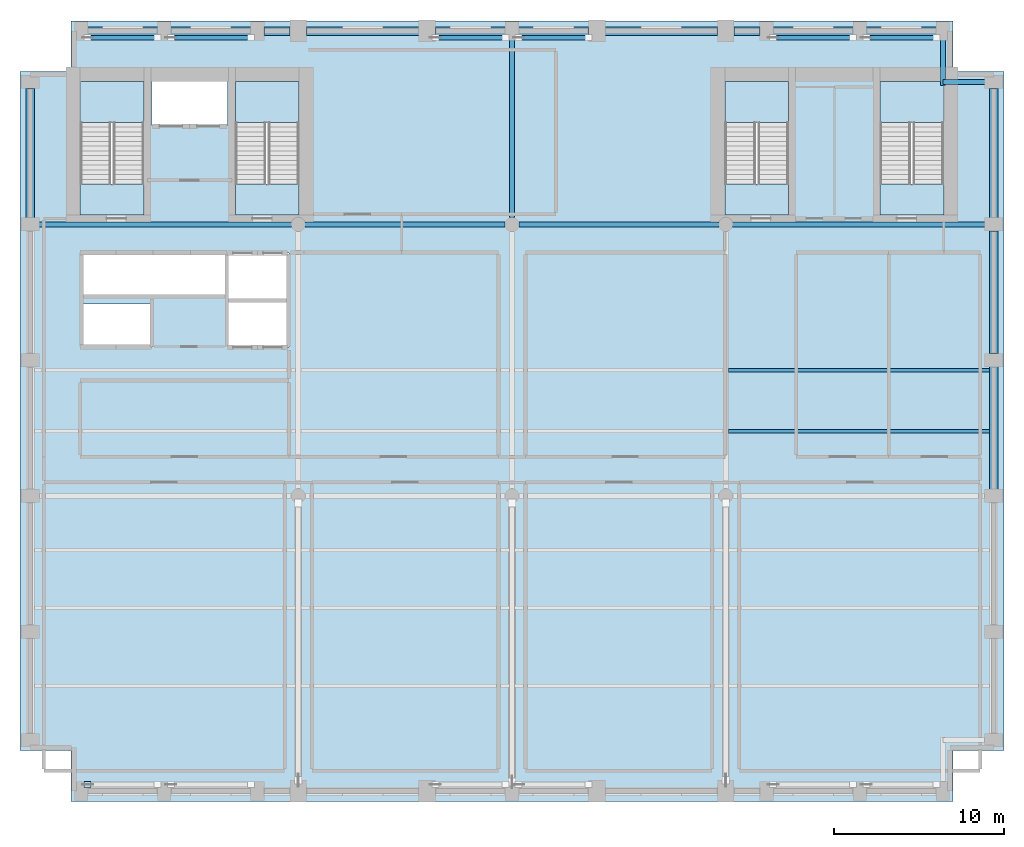
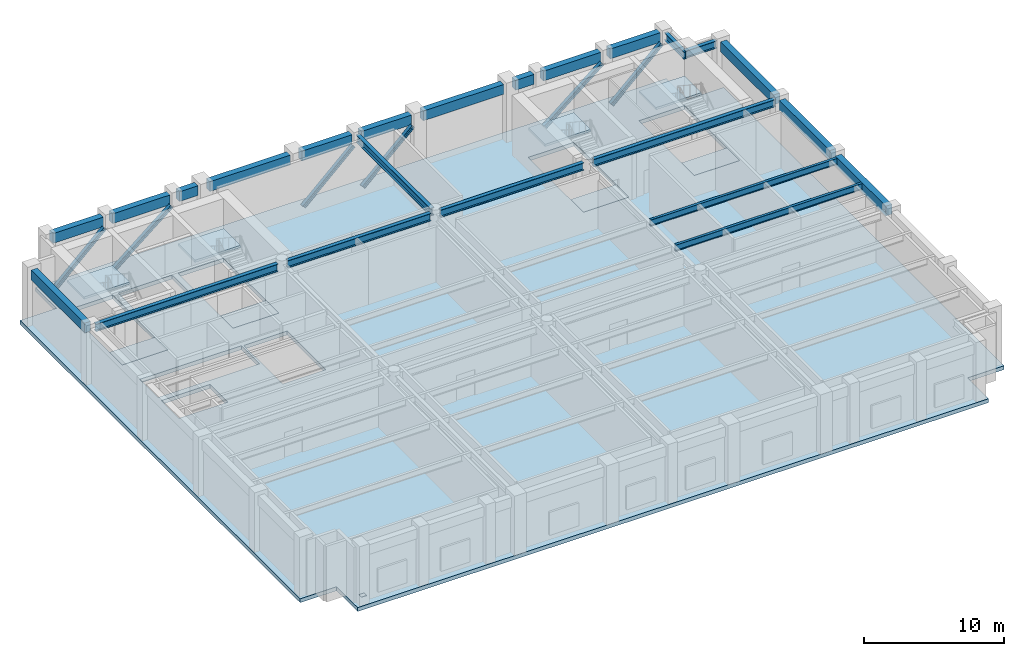
# One storey, part 2 of 11: 23 beams, 9 slabs, 6 members, 1 plate, 4 elements without a shape of their own.
"""IFC4 building model written with IfcOpenShell, lengths in metres."""

from ifc_helpers import new_model, si_unit, direction, frame, origin, origin_2d, place, context, subcontext, project, spatial, polyline, rectangle, i_section, outline, extrude, material, layer, layer_set, material_profile, profile_set, type_object, element, aggregate, save


model = new_model("IFC4")

# Units and contexts
model_context = context("Model", 3, precision=1e-05, world=origin(), true_north=direction((0.0, 1.0)))
body_context = subcontext(model_context, "Body", "Model", "MODEL_VIEW")
ifc_project = project(units=[si_unit("LENGTHUNIT", "METRE"), si_unit("AREAUNIT", "SQUARE_METRE"), si_unit("VOLUMEUNIT", "CUBIC_METRE"), si_unit("PLANEANGLEUNIT", "RADIAN"), si_unit("MASSUNIT", "GRAM", prefix="KILO")], contexts=[model_context])

# Site, building, storey
site_placement = place(None, origin())
site = spatial("IfcSite", under=ifc_project, at=site_placement, CompositionType="ELEMENT")
building_placement = place(site_placement, origin())
building = spatial("IfcBuilding", under=site, at=building_placement, Name="Sulina Concourse Tower", CompositionType="ELEMENT")
storey_placement = place(building_placement, frame((0.0, 0.0, 160.60009765625)))
storey = spatial("IfcBuildingStorey", under=building, at=storey_placement, Name="L39", CompositionType="ELEMENT", Elevation=160.60009765625)

# Beams
ifc_material_1 = material(Name="Steel S355", Category="steel")
ifc_material_profile_1 = material_profile(ifc_material_1, i_section(OverallWidth=0.2099609375, OverallDepth=0.550048828125, WebThickness=0.010986328125, FlangeThickness=0.01708984375, at=origin_2d()), Name="IPE 550")
ifc_profile_set_1 = profile_set([ifc_material_profile_1], Name="Steel S355")
beam_type_1 = type_object("IfcBeamType", Name="Composite Floor Joist IPE550", PredefinedType="JOIST", material=ifc_profile_set_1)
for number, where, z_axis, x_axis, name in (
    (1, (41.75, 21.800048828125, 4.5849609375), (1.0, 0.0, 0.0), (0.0, 1.0, 0.0), "FJ-J22-4-L39"),
    (2, (41.75, 25.39990234375, 4.5849609375), (1.0, 0.0, 0.0), (0.0, 1.0, 0.0), "FJ-J25-4-L39"),
):
    element("IfcBeam", number, at=place(storey_placement, frame(where, z_axis=z_axis, x_axis=x_axis)), inside=storey, type_object=beam_type_1, Name=name, PredefinedType="JOIST", context=body_context, shape_type="SweptSolid", body=[
        extrude(i_section(OverallWidth=0.2099609375, OverallDepth=0.550048828125, WebThickness=0.010986328125, FlangeThickness=0.01708984375, at=origin_2d()), origin(), (0.0, 0.0, 1.0), 15.39990234375),
    ])
ifc_material_2 = material(Name="Steel S355", Category="steel")
ifc_material_profile_2 = material_profile(ifc_material_2, i_section(OverallWidth=0.300048828125, OverallDepth=0.64990234375, WebThickness=0.01611328125, FlangeThickness=0.031005859375, at=origin_2d()), Name="HE 650 B")
ifc_profile_set_2 = profile_set([ifc_material_profile_2], Name="Steel S355")
beam_type_2 = type_object("IfcBeamType", Name="Floor Primary Girder Zone 2 HE650B", PredefinedType="BEAM", material=ifc_profile_set_2)
beam_1_placement = place(storey_placement, frame((54.39990234375, 42.39990234375, 4.534912109375), z_axis=(1.0, 0.0, 0.0), x_axis=(0.0, 1.0, 0.0)))
element("IfcBeam", 3, at=beam_1_placement, inside=storey, type_object=beam_type_2, Name="TIE-NE-L39", PredefinedType="BEAM", context=body_context, shape_type="SweptSolid", body=[
    extrude(i_section(OverallWidth=0.300048828125, OverallDepth=0.64990234375, WebThickness=0.01611328125, FlangeThickness=0.031005859375, at=origin_2d()), origin(), (0.0, 0.0, 1.0), 2.6201171875),
])
beam_2_placement = place(storey_placement, frame((54.39990234375, 42.199951171875, 4.534912109375), z_axis=(0.0, 1.0, 0.0), x_axis=(-1.0, 0.0, 0.0)))
element("IfcBeam", 4, at=beam_2_placement, inside=storey, type_object=beam_type_2, Name="TIE-NEN-L39", PredefinedType="BEAM", context=body_context, shape_type="SweptSolid", body=[
    extrude(i_section(OverallWidth=0.300048828125, OverallDepth=0.64990234375, WebThickness=0.01611328125, FlangeThickness=0.031005859375, at=origin_2d()), origin(), (0.0, 0.0, 1.0), 2.820068359375),
])
beam_3_placement = place(storey_placement, frame((0.97998046875, 34.0, 4.534912109375), z_axis=(1.0, 0.0, 0.0), x_axis=(0.0, 1.0, 0.0)))
element("IfcBeam", 5, at=beam_3_placement, inside=storey, type_object=beam_type_2, Name="FG-EWN1-L39", PredefinedType="BEAM", context=body_context, shape_type="SweptSolid", body=[
    extrude(i_section(OverallWidth=0.300048828125, OverallDepth=0.64990234375, WebThickness=0.01611328125, FlangeThickness=0.031005859375, at=origin_2d()), origin(), (0.0, 0.0, 1.0), 15.01513671875),
])
for number, where, z_axis, x_axis, name in (
    (6, (16.804931640625, 34.0, 4.534912109375), (1.0, 0.0, 0.0), (0.0, 1.0, 0.0), "FG-EWN2-L39"),
    (7, (29.405029296875, 34.0, 4.534912109375), (1.0, 0.0, 0.0), (0.0, 1.0, 0.0), "FG-EWN3-L39"),
):
    element("IfcBeam", number, at=place(storey_placement, frame(where, z_axis=z_axis, x_axis=x_axis)), inside=storey, type_object=beam_type_2, Name=name, PredefinedType="BEAM", context=body_context, shape_type="SweptSolid", body=[
        extrude(i_section(OverallWidth=0.300048828125, OverallDepth=0.64990234375, WebThickness=0.01611328125, FlangeThickness=0.031005859375, at=origin_2d()), origin(), (0.0, 0.0, 1.0), 11.7900390625),
    ])
beam_4_placement = place(storey_placement, frame((42.0048828125, 34.0, 4.534912109375), z_axis=(1.0, 0.0, 0.0), x_axis=(0.0, 1.0, 0.0)))
element("IfcBeam", 8, at=beam_4_placement, inside=storey, type_object=beam_type_2, Name="FG-EWN4-L39", PredefinedType="BEAM", context=body_context, shape_type="SweptSolid", body=[
    extrude(i_section(OverallWidth=0.300048828125, OverallDepth=0.64990234375, WebThickness=0.01611328125, FlangeThickness=0.031005859375, at=origin_2d()), origin(), (0.0, 0.0, 1.0), 15.01513671875),
])
beam_5_placement = place(storey_placement, frame((29.0, 34.405029296875, 4.534912109375), z_axis=(0.0, 1.0, 0.0), x_axis=(-1.0, 0.0, 0.0)))
element("IfcBeam", 9, at=beam_5_placement, inside=storey, type_object=beam_type_2, Name="FG-NSC-29-L39", PredefinedType="BEAM", context=body_context, shape_type="SweptSolid", body=[
    extrude(i_section(OverallWidth=0.300048828125, OverallDepth=0.64990234375, WebThickness=0.01611328125, FlangeThickness=0.031005859375, at=origin_2d()), origin(), (0.0, 0.0, 1.0), 10.614990234375),
])
ifc_material_3 = material(Name="Precast concrete C50/60", Category="concrete")
ifc_material_profile_3 = material_profile(ifc_material_3, rectangle(XDim=0.5, YDim=0.85009765625, at=origin_2d()), Name="RC 500x850")
ifc_profile_set_3 = profile_set([ifc_material_profile_3], Name="Precast concrete C50/60")
beam_type_3 = type_object("IfcBeamType", Name="Lower Precast Spandrel Edge Beam 500x850", PredefinedType="BEAM", material=ifc_profile_set_3)
beam_6_placement = place(storey_placement, frame((3.97998046875, 45.39990234375, 4.434814453125), z_axis=(1.0, 0.0, 0.0), x_axis=(0.0, 1.0, 0.0)))
element("IfcBeam", 10, at=beam_6_placement, inside=storey, type_object=beam_type_3, Name="SP-N1-L39", PredefinedType="BEAM", context=body_context, shape_type="SweptSolid", body=[
    extrude(rectangle(XDim=0.5, YDim=0.85009765625, at=origin_2d()), origin(), (0.0, 0.0, 1.0), 4.14013671875),
])
beam_7_placement = place(storey_placement, frame((8.8798828125, 45.39990234375, 4.434814453125), z_axis=(1.0, 0.0, 0.0), x_axis=(0.0, 1.0, 0.0)))
element("IfcBeam", 11, at=beam_7_placement, inside=storey, type_object=beam_type_3, Name="SP-N2-L39", PredefinedType="BEAM", context=body_context, shape_type="SweptSolid", body=[
    extrude(rectangle(XDim=0.5, YDim=0.85009765625, at=origin_2d()), origin(), (0.0, 0.0, 1.0), 4.740234375),
])
beam_8_placement = place(storey_placement, frame((14.3798828125, 45.39990234375, 4.434814453125), z_axis=(1.0, 0.0, 0.0), x_axis=(0.0, 1.0, 0.0)))
element("IfcBeam", 12, at=beam_8_placement, inside=storey, type_object=beam_type_3, Name="SP-N3-L39", PredefinedType="BEAM", context=body_context, shape_type="SweptSolid", body=[
    extrude(rectangle(XDim=0.5, YDim=0.85009765625, at=origin_2d()), origin(), (0.0, 0.0, 1.0), 1.5400390625),
])
beam_9_placement = place(storey_placement, frame((16.8798828125, 45.39990234375, 4.434814453125), z_axis=(1.0, 0.0, 0.0), x_axis=(0.0, 1.0, 0.0)))
element("IfcBeam", 13, at=beam_9_placement, inside=storey, type_object=beam_type_3, Name="SP-N4-L39", PredefinedType="BEAM", context=body_context, shape_type="SweptSolid", body=[
    extrude(rectangle(XDim=0.5, YDim=0.85009765625, at=origin_2d()), origin(), (0.0, 0.0, 1.0), 6.64013671875),
])
for number, where, z_axis, x_axis, name in (
    (14, (24.47998046875, 45.39990234375, 4.434814453125), (1.0, 0.0, 0.0), (0.0, 1.0, 0.0), "SP-N5-L39"),
    (15, (29.3798828125, 45.39990234375, 4.434814453125), (1.0, 0.0, 0.0), (0.0, 1.0, 0.0), "SP-N6-L39"),
):
    element("IfcBeam", number, at=place(storey_placement, frame(where, z_axis=z_axis, x_axis=x_axis)), inside=storey, type_object=beam_type_3, Name=name, PredefinedType="BEAM", context=body_context, shape_type="SweptSolid", body=[
        extrude(rectangle(XDim=0.5, YDim=0.85009765625, at=origin_2d()), origin(), (0.0, 0.0, 1.0), 4.14013671875),
    ])
beam_10_placement = place(storey_placement, frame((34.47998046875, 45.39990234375, 4.434814453125), z_axis=(1.0, 0.0, 0.0), x_axis=(0.0, 1.0, 0.0)))
element("IfcBeam", 16, at=beam_10_placement, inside=storey, type_object=beam_type_3, Name="SP-N7-L39", PredefinedType="BEAM", context=body_context, shape_type="SweptSolid", body=[
    extrude(rectangle(XDim=0.5, YDim=0.85009765625, at=origin_2d()), origin(), (0.0, 0.0, 1.0), 6.64013671875),
])
beam_11_placement = place(storey_placement, frame((42.080078125, 45.39990234375, 4.434814453125), z_axis=(1.0, 0.0, 0.0), x_axis=(0.0, 1.0, 0.0)))
element("IfcBeam", 17, at=beam_11_placement, inside=storey, type_object=beam_type_3, Name="SP-N8-L39", PredefinedType="BEAM", context=body_context, shape_type="SweptSolid", body=[
    extrude(rectangle(XDim=0.5, YDim=0.85009765625, at=origin_2d()), origin(), (0.0, 0.0, 1.0), 1.5400390625),
])
beam_12_placement = place(storey_placement, frame((44.3798828125, 45.39990234375, 4.434814453125), z_axis=(1.0, 0.0, 0.0), x_axis=(0.0, 1.0, 0.0)))
element("IfcBeam", 18, at=beam_12_placement, inside=storey, type_object=beam_type_3, Name="SP-N9-L39", PredefinedType="BEAM", context=body_context, shape_type="SweptSolid", body=[
    extrude(rectangle(XDim=0.5, YDim=0.85009765625, at=origin_2d()), origin(), (0.0, 0.0, 1.0), 4.740234375),
])
beam_13_placement = place(storey_placement, frame((49.8798828125, 45.39990234375, 4.434814453125), z_axis=(1.0, 0.0, 0.0), x_axis=(0.0, 1.0, 0.0)))
element("IfcBeam", 19, at=beam_13_placement, inside=storey, type_object=beam_type_3, Name="SP-N10-L39", PredefinedType="BEAM", context=body_context, shape_type="SweptSolid", body=[
    extrude(rectangle(XDim=0.5, YDim=0.85009765625, at=origin_2d()), origin(), (0.0, 0.0, 1.0), 4.14013671875),
])
beam_14_placement = place(storey_placement, frame((0.60009765625, 34.3798828125, 4.434814453125), z_axis=(0.0, 1.0, 0.0), x_axis=(-1.0, 0.0, 0.0)))
element("IfcBeam", 20, at=beam_14_placement, inside=storey, type_object=beam_type_3, Name="SP-W5-L39", PredefinedType="BEAM", context=body_context, shape_type="SweptSolid", body=[
    extrude(rectangle(XDim=0.5, YDim=0.85009765625, at=origin_2d()), origin(), (0.0, 0.0, 1.0), 7.64013671875),
])
for number, where, z_axis, x_axis, name in (
    (21, (57.39990234375, 18.3798828125, 4.434814453125), (0.0, 1.0, 0.0), (-1.0, 0.0, 0.0), "SP-E3-L39"),
    (22, (57.39990234375, 26.3798828125, 4.434814453125), (0.0, 1.0, 0.0), (-1.0, 0.0, 0.0), "SP-E4-L39"),
):
    element("IfcBeam", number, at=place(storey_placement, frame(where, z_axis=z_axis, x_axis=x_axis)), inside=storey, type_object=beam_type_3, Name=name, PredefinedType="BEAM", context=body_context, shape_type="SweptSolid", body=[
        extrude(rectangle(XDim=0.5, YDim=0.85009765625, at=origin_2d()), origin(), (0.0, 0.0, 1.0), 7.240234375),
    ])
beam_15_placement = place(storey_placement, frame((57.39990234375, 34.3798828125, 4.434814453125), z_axis=(0.0, 1.0, 0.0), x_axis=(-1.0, 0.0, 0.0)))
element("IfcBeam", 23, at=beam_15_placement, inside=storey, type_object=beam_type_3, Name="SP-E5-L39", PredefinedType="BEAM", context=body_context, shape_type="SweptSolid", body=[
    extrude(rectangle(XDim=0.5, YDim=0.85009765625, at=origin_2d()), origin(), (0.0, 0.0, 1.0), 7.64013671875),
])

# Members
ifc_material_4 = material(Name="Steel S355", Category="steel")
ifc_material_profile_4 = material_profile(ifc_material_4, i_section(OverallWidth=0.300048828125, OverallDepth=0.320068359375, WebThickness=0.011474609375, FlangeThickness=0.0205078125, at=origin_2d()), Name="HE 320 B")
ifc_profile_set_4 = profile_set([ifc_material_profile_4], Name="Steel S355")
member_type = type_object("IfcMemberType", Name="Plant Belt Brace HE320B", PredefinedType="BRACE", material=ifc_profile_set_4)
member_1_placement = place(storey_placement, frame((3.989990234375, 45.02001953125, 0.14990234375), z_axis=(0.728874196238, 0.0, 0.684647651029), x_axis=(0.0, 1.0, 0.0)))
element("IfcMember", 24, at=member_1_placement, inside=storey, type_object=member_type, Name="BLT-N1-L39", PredefinedType="BRACE", context=body_context, shape_type="SweptSolid", body=[
    extrude(i_section(OverallWidth=0.300048828125, OverallDepth=0.320068359375, WebThickness=0.011474609375, FlangeThickness=0.0205078125, at=origin_2d()), origin(), (0.0, 0.0, 1.0), 5.65283203125),
])
member_2_placement = place(storey_placement, frame((8.889892578125, 45.02001953125, 0.14990234375), z_axis=(0.773304658113, 0.0, 0.634034625034), x_axis=(0.0, 1.0, 0.0)))
element("IfcMember", 25, at=member_2_placement, inside=storey, type_object=member_type, Name="BLT-N2-L39", PredefinedType="BRACE", context=body_context, shape_type="SweptSolid", body=[
    extrude(i_section(OverallWidth=0.300048828125, OverallDepth=0.320068359375, WebThickness=0.011474609375, FlangeThickness=0.0205078125, at=origin_2d()), origin(), (0.0, 0.0, 1.0), 6.10400390625),
])
for number, where, z_axis, x_axis, name in (
    (26, (24.489990234375, 45.02001953125, 0.14990234375), (0.728874196238, 0.0, 0.684647651029), (0.0, 1.0, 0.0), "BLT-N3-L39"),
    (27, (29.389892578125, 45.02001953125, 0.14990234375), (0.728874196238, 0.0, 0.684647651029), (0.0, 1.0, 0.0), "BLT-N4-L39"),
):
    element("IfcMember", number, at=place(storey_placement, frame(where, z_axis=z_axis, x_axis=x_axis)), inside=storey, type_object=member_type, Name=name, PredefinedType="BRACE", context=body_context, shape_type="SweptSolid", body=[
        extrude(i_section(OverallWidth=0.300048828125, OverallDepth=0.320068359375, WebThickness=0.011474609375, FlangeThickness=0.0205078125, at=origin_2d()), origin(), (0.0, 0.0, 1.0), 5.65283203125),
    ])
member_3_placement = place(storey_placement, frame((44.389892578125, 45.02001953125, 0.14990234375), z_axis=(0.773304658113, 0.0, 0.634034625034), x_axis=(0.0, 1.0, 0.0)))
element("IfcMember", 28, at=member_3_placement, inside=storey, type_object=member_type, Name="BLT-N5-L39", PredefinedType="BRACE", context=body_context, shape_type="SweptSolid", body=[
    extrude(i_section(OverallWidth=0.300048828125, OverallDepth=0.320068359375, WebThickness=0.011474609375, FlangeThickness=0.0205078125, at=origin_2d()), origin(), (0.0, 0.0, 1.0), 6.10400390625),
])
member_4_placement = place(storey_placement, frame((49.889892578125, 45.02001953125, 0.14990234375), z_axis=(0.728874196238, 0.0, 0.684647651029), x_axis=(0.0, 1.0, 0.0)))
element("IfcMember", 29, at=member_4_placement, inside=storey, type_object=member_type, Name="BLT-N6-L39", PredefinedType="BRACE", context=body_context, shape_type="SweptSolid", body=[
    extrude(i_section(OverallWidth=0.300048828125, OverallDepth=0.320068359375, WebThickness=0.011474609375, FlangeThickness=0.0205078125, at=origin_2d()), origin(), (0.0, 0.0, 1.0), 5.65283203125),
])

# Slabs
ifc_material_5 = material(Name="Concrete C60/75", Category="concrete")
ifc_layer_1 = layer(ifc_material_5, 0.340087890625)
ifc_layer_set_1 = layer_set([ifc_layer_1], Name="Concrete C60/75")
slab_type_1 = type_object("IfcSlabType", Name="Mechanical Plant & Sky-Lobby Slab 340mm", PredefinedType="FLOOR", material=ifc_layer_set_1)
slab_1_placement = place(storey_placement, frame((0.0, 0.0, -0.340087890625)))
element("IfcSlab", 30, at=slab_1_placement, inside=storey, type_object=slab_type_1, Name="L39 structural floor slab", PredefinedType="FLOOR", context=body_context, shape_type="SweptSolid", body=[
    extrude(outline(polyline([(3.0, 0.0), (55.0, 0.0), (55.0, 3.0), (58.0, 3.0), (58.0, 43.0), (55.0, 43.0), (55.0, 46.0), (3.0, 46.0), (3.0, 43.0), (0.0, 43.0), (0.0, 3.0), (3.0, 3.0), (3.0, 0.0)]), holes=[polyline([(7.31005859375, 34.550048828125), (7.31005859375, 42.429931640625), (3.550048828125, 42.429931640625), (3.550048828125, 34.550048828125), (7.31005859375, 34.550048828125)]), polyline([(16.449951171875, 34.550048828125), (16.449951171875, 42.429931640625), (12.68994140625, 42.429931640625), (12.68994140625, 34.550048828125), (16.449951171875, 34.550048828125)]), polyline([(45.31005859375, 34.550048828125), (45.31005859375, 42.429931640625), (41.550048828125, 42.429931640625), (41.550048828125, 34.550048828125), (45.31005859375, 34.550048828125)]), polyline([(54.449951171875, 34.550048828125), (54.449951171875, 42.429931640625), (50.68994140625, 42.429931640625), (50.68994140625, 34.550048828125), (54.449951171875, 34.550048828125)]), polyline([(7.780029296875, 39.830078125), (12.219970703125, 39.830078125), (12.219970703125, 42.449951171875), (7.780029296875, 42.449951171875), (7.780029296875, 39.830078125)]), polyline([(3.739990234375, 26.780029296875), (7.77001953125, 26.780029296875), (7.77001953125, 29.320068359375), (3.739990234375, 29.320068359375), (3.739990234375, 26.780029296875)]), polyline([(3.739990234375, 29.780029296875), (12.10009765625, 29.780029296875), (12.10009765625, 32.3701171875), (3.739990234375, 32.3701171875), (3.739990234375, 29.780029296875)]), polyline([(12.280029296875, 26.780029296875), (15.85009765625, 26.780029296875), (15.85009765625, 32.320068359375), (12.280029296875, 32.320068359375), (12.280029296875, 26.780029296875)])]), origin(), (0.0, 0.0, 1.0), 0.340087890625),
])
ifc_material_6 = material(Name="Concrete C50/60", Category="concrete")
ifc_layer_2 = layer(ifc_material_6, 0.199951171875)
ifc_layer_set_2 = layer_set([ifc_layer_2], Name="Concrete C50/60")
slab_type_2 = type_object("IfcSlabType", Name="Primary Core Stair Landing Slab 200mm", PredefinedType="LANDING", material=ifc_layer_set_2)
slab_2_placement = place(storey_placement, frame((0.0, 0.0, -0.2001953125)))
element("IfcSlab", 31, at=slab_2_placement, inside=storey, type_object=slab_type_2, Name="L39 ST-1 floor landing slab", PredefinedType="LANDING", context=body_context, shape_type="SweptSolid", body=[
    extrude(outline(polyline([(7.31005859375, 34.550048828125), (7.31005859375, 36.375), (3.550048828125, 36.375), (3.550048828125, 34.550048828125), (7.31005859375, 34.550048828125)])), origin(), (0.0, 0.0, 1.0), 0.2001953125),
])
slab_3_placement = place(storey_placement, frame((0.0, 0.0, -0.2001953125)))
element("IfcSlab", 32, at=slab_3_placement, inside=storey, type_object=slab_type_2, Name="L39 ST-2 floor landing slab", PredefinedType="LANDING", context=body_context, shape_type="SweptSolid", body=[
    extrude(outline(polyline([(16.449951171875, 34.550048828125), (16.449951171875, 36.375), (12.68994140625, 36.375), (12.68994140625, 34.550048828125), (16.449951171875, 34.550048828125)])), origin(), (0.0, 0.0, 1.0), 0.2001953125),
])
slab_4_placement = place(storey_placement, frame((0.0, 0.0, -0.2001953125)))
element("IfcSlab", 33, at=slab_4_placement, inside=storey, type_object=slab_type_2, Name="L39 ST-3 floor landing slab", PredefinedType="LANDING", context=body_context, shape_type="SweptSolid", body=[
    extrude(outline(polyline([(45.31005859375, 34.550048828125), (45.31005859375, 36.375), (41.550048828125, 36.375), (41.550048828125, 34.550048828125), (45.31005859375, 34.550048828125)])), origin(), (0.0, 0.0, 1.0), 0.2001953125),
])
slab_5_placement = place(storey_placement, frame((0.0, 0.0, -0.2001953125)))
element("IfcSlab", 34, at=slab_5_placement, inside=storey, type_object=slab_type_2, Name="L39 ST-4 floor landing slab", PredefinedType="LANDING", context=body_context, shape_type="SweptSolid", body=[
    extrude(outline(polyline([(54.449951171875, 34.550048828125), (54.449951171875, 36.375), (50.68994140625, 36.375), (50.68994140625, 34.550048828125), (54.449951171875, 34.550048828125)])), origin(), (0.0, 0.0, 1.0), 0.2001953125),
])

# Stair, slab
ifc_material_7 = material(Name="Concrete C50/60", Category="concrete")
stair_type_1 = type_object("IfcStairType", Name="Primary Core Dog-Leg Exit Stair 1800mm", PredefinedType="HALF_TURN_STAIR", material=ifc_material_7)
stair_1_placement = place(storey_placement, origin())
stair_1 = element("IfcStair", 35, at=stair_1_placement, inside=storey, type_object=stair_type_1, Name="L39 ST-1", PredefinedType="HALF_TURN_STAIR")
slab_6_placement = place(storey_placement, frame((0.0, 0.0, 2.39990234375)))
slab_6 = element("IfcSlab", 36, at=slab_6_placement, type_object=slab_type_2, Name="ST-1 landing 1", PredefinedType="LANDING", context=body_context, shape_type="SweptSolid", body=[
    extrude(outline(polyline([(7.304931640625, 40.014892578125), (7.304931640625, 42.425048828125), (3.554931640625, 42.425048828125), (3.554931640625, 40.014892578125), (7.304931640625, 40.014892578125)])), origin(), (0.0, 0.0, 1.0), 0.199951171875),
])
aggregate(stair_1, [slab_6])

stair_2_placement = place(storey_placement, origin())
stair_2 = element("IfcStair", 37, at=stair_2_placement, inside=storey, type_object=stair_type_1, Name="L39 ST-2", PredefinedType="HALF_TURN_STAIR")
slab_7_placement = place(storey_placement, frame((0.0, 0.0, 2.39990234375)))
slab_7 = element("IfcSlab", 38, at=slab_7_placement, type_object=slab_type_2, Name="ST-2 landing 1", PredefinedType="LANDING", context=body_context, shape_type="SweptSolid", body=[
    extrude(outline(polyline([(16.445068359375, 40.014892578125), (16.445068359375, 42.425048828125), (12.695068359375, 42.425048828125), (12.695068359375, 40.014892578125), (16.445068359375, 40.014892578125)])), origin(), (0.0, 0.0, 1.0), 0.199951171875),
])
aggregate(stair_2, [slab_7])

ifc_material_8 = material(Name="Concrete C50/60", Category="concrete")
stair_type_2 = type_object("IfcStairType", Name="Portal & Podium Core Exit Stair 1820mm", PredefinedType="HALF_TURN_STAIR", material=ifc_material_8)
stair_3_placement = place(storey_placement, origin())
stair_3 = element("IfcStair", 39, at=stair_3_placement, inside=storey, type_object=stair_type_2, Name="L39 ST-3", PredefinedType="HALF_TURN_STAIR")
slab_8_placement = place(storey_placement, frame((0.0, 0.0, 2.39990234375)))
slab_8 = element("IfcSlab", 40, at=slab_8_placement, type_object=slab_type_2, Name="ST-3 landing 1", PredefinedType="LANDING", context=body_context, shape_type="SweptSolid", body=[
    extrude(outline(polyline([(45.304931640625, 40.014892578125), (45.304931640625, 42.425048828125), (41.554931640625, 42.425048828125), (41.554931640625, 40.014892578125), (45.304931640625, 40.014892578125)])), origin(), (0.0, 0.0, 1.0), 0.199951171875),
])
aggregate(stair_3, [slab_8])

stair_4_placement = place(storey_placement, origin())
stair_4 = element("IfcStair", 41, at=stair_4_placement, inside=storey, type_object=stair_type_2, Name="L39 ST-4", PredefinedType="HALF_TURN_STAIR")
slab_9_placement = place(storey_placement, frame((0.0, 0.0, 2.39990234375)))
slab_9 = element("IfcSlab", 42, at=slab_9_placement, type_object=slab_type_2, Name="ST-4 landing 1", PredefinedType="LANDING", context=body_context, shape_type="SweptSolid", body=[
    extrude(outline(polyline([(54.445068359375, 40.014892578125), (54.445068359375, 42.425048828125), (50.695068359375, 42.425048828125), (50.695068359375, 40.014892578125), (54.445068359375, 40.014892578125)])), origin(), (0.0, 0.0, 1.0), 0.199951171875),
])
aggregate(stair_4, [slab_9])

# Plate
ifc_material_9 = material(Name="Steel S355", Category="steel")
ifc_layer_3 = layer(ifc_material_9, 0.02001953125)
ifc_layer_set_3 = layer_set([ifc_layer_3], Name="Steel S355")
plate_type = type_object("IfcPlateType", Name="Upper Hollow Brace End-Cap Plate 20mm", PredefinedType="USERDEFINED", material=ifc_layer_set_3)
plate_placement = place(storey_placement, frame((3.989990234375, 0.97998046875, 0.139892578125), z_axis=(0.0, 0.0, 1.0), x_axis=(1.0, 0.0, 0.0)))
element("IfcPlate", 43, at=plate_placement, inside=storey, type_object=plate_type, Name="BLT-S1-L39 end cap plate 1", ObjectType="CAP_PLATE", PredefinedType="USERDEFINED", context=body_context, shape_type="SweptSolid", body=[
    extrude(rectangle(XDim=0.409912109375, YDim=0.360107421875, at=origin_2d()), origin(), (0.0, 0.0, 1.0), 0.02001953125),
])

save(model, "model.ifc")
